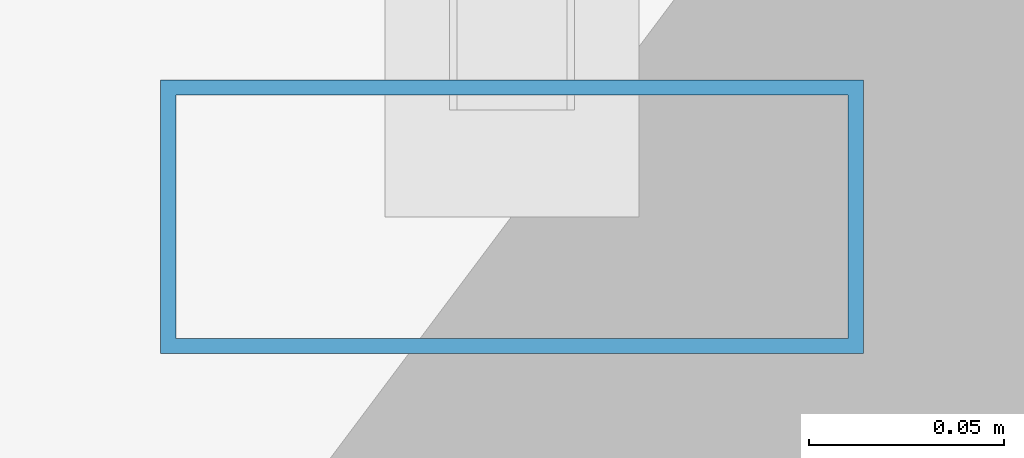
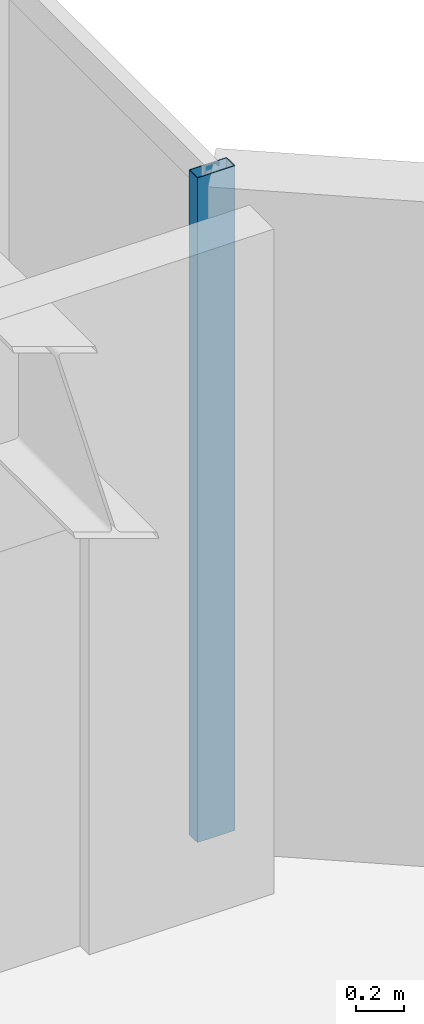
# One storey, part 15 of 28: 1 member, 1 element without a shape of its own.
"""IFC4 building model written with IfcOpenShell, lengths in metres."""

from ifc_helpers import new_model, si_unit, direction, frame, origin, origin_2d, place, context, subcontext, project, spatial, hollow_rectangle, extrude, material, layer, layer_set, material_profile, profile_set, type_object, element, aggregate, save


model = new_model("IFC4")

# Units and contexts
model_context = context("Model", 3, precision=1e-05, world=origin(), true_north=direction((0.0, 1.0)))
body_context = subcontext(model_context, "Body", "Model", "MODEL_VIEW")
ifc_project = project(units=[si_unit("LENGTHUNIT", "METRE"), si_unit("AREAUNIT", "SQUARE_METRE"), si_unit("VOLUMEUNIT", "CUBIC_METRE"), si_unit("PLANEANGLEUNIT", "RADIAN"), si_unit("MASSUNIT", "GRAM", prefix="KILO")], contexts=[model_context])

# Site, building, storey
site_placement = place(None, origin())
site = spatial("IfcSite", under=ifc_project, at=site_placement, CompositionType="ELEMENT")
building_placement = place(site_placement, origin())
building = spatial("IfcBuilding", under=site, at=building_placement, Name="Hatsunagi Terrace Concourse", CompositionType="ELEMENT")
storey_placement = place(building_placement, frame((0.0, 0.0, 138.449951171875)))
storey = spatial("IfcBuildingStorey", under=building, at=storey_placement, Name="L36", CompositionType="ELEMENT", Elevation=138.449951171875)

# Curtain wall, member
ifc_material_1 = material(Name="Anodised Aluminium Alloy 6063-T5", Category="aluminium")
ifc_layer = layer(ifc_material_1, 0.199951171875)
ifc_layer_set = layer_set([ifc_layer], Name="OfficeZone1_CW03")
curtain_wall_type = type_object("IfcCurtainWallType", Name="OfficeZone1_CW03", PredefinedType="NOTDEFINED", material=ifc_layer_set)
curtain_wall_placement = place(storey_placement, origin())
curtain_wall = element("IfcCurtainWall", 1, at=curtain_wall_placement, inside=storey, type_object=curtain_wall_type, Name="Unitised Curtain Wall CW-03 CW-L36-13", PredefinedType="NOTDEFINED")
ifc_material_2 = material(Name="Anodised Aluminium Alloy 6063-T5", Category="aluminium")
ifc_material_profile = material_profile(ifc_material_2, hollow_rectangle(XDim=0.070068359375, YDim=0.179931640625, WallThickness=0.00390625, at=origin_2d()), Name="ALU-MUL-180x70x4")
ifc_profile_set = profile_set([ifc_material_profile], Name="Anodised Aluminium Alloy 6063-T5")
member_type = type_object("IfcMemberType", Name="CurtainWallMullion_180x70", PredefinedType="MULLION", material=ifc_profile_set)
member_placement = place(storey_placement, frame((44.860107421875, 40.72998046875, 0.0), z_axis=(0.0, 0.0, 1.0), x_axis=(0.0, -1.0, 0.0)))
member = element("IfcMember", 2, at=member_placement, type_object=member_type, Name="Curtain Wall Mullion MUL-02", PredefinedType="MULLION", context=body_context, shape_type="SweptSolid", body=[
    extrude(hollow_rectangle(XDim=0.070068359375, YDim=0.179931640625, WallThickness=0.00390625, at=origin_2d()), origin(), (0.0, 0.0, 1.0), 3.35009765625),
])
aggregate(curtain_wall, [member])

save(model, "model.ifc")
